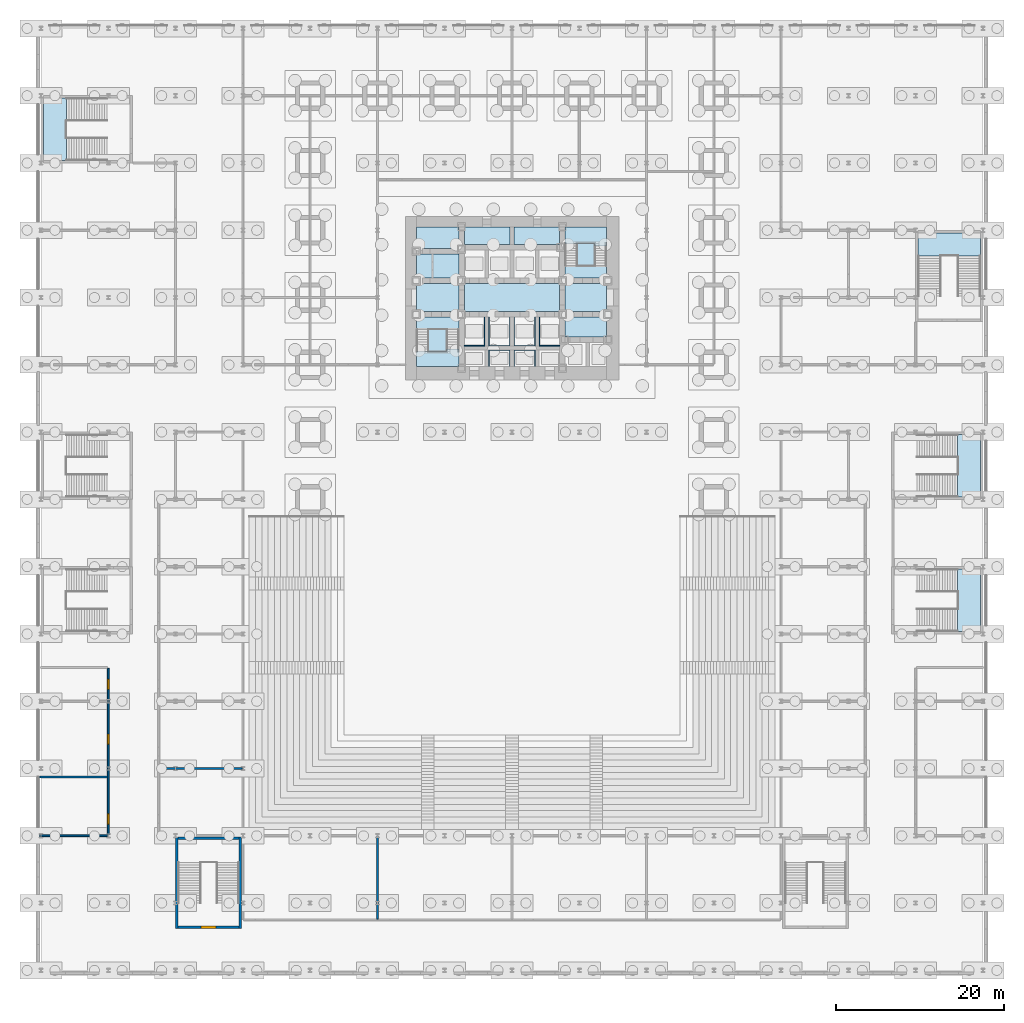
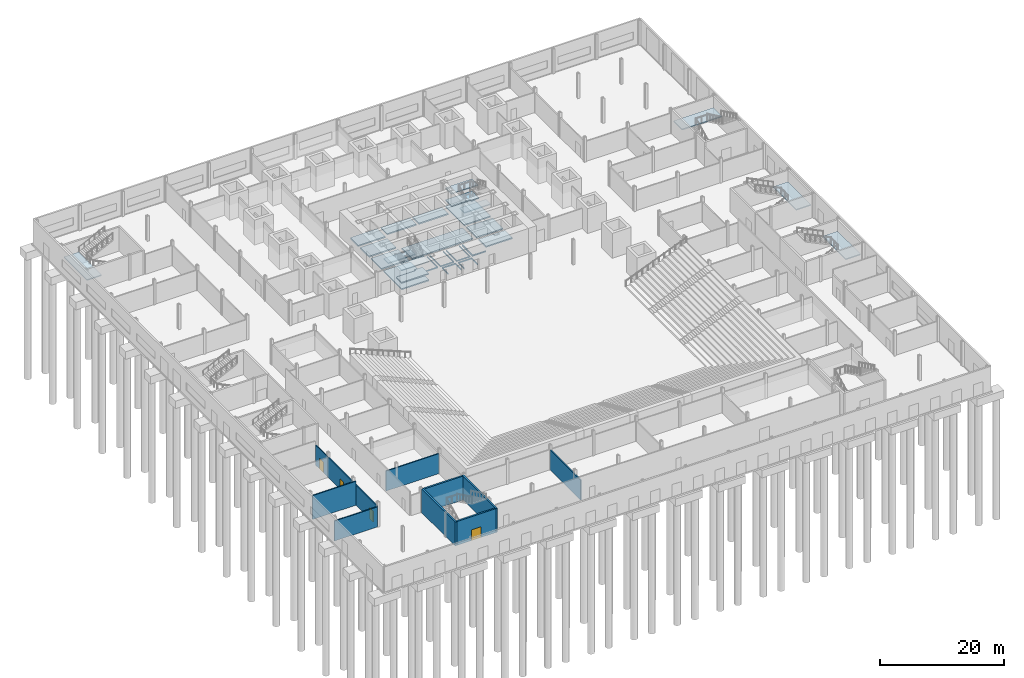
# One storey, part 10 of 24: 26 slabs, 9 walls, 4 doors, 4 openings, 6 elements without a shape of their own.
"""IFC4 building model written with IfcOpenShell, lengths in metres."""

from ifc_helpers import new_model, si_unit, direction, frame, frame_2d, origin, place, context, subcontext, project, spatial, polyline, rectangle, outline, extrude, material, layer, layer_set, type_object, element, fill, aggregate, save


model = new_model("IFC4")

# Units and contexts
model_context = context("Model", 3, precision=1e-05, world=origin(), true_north=direction((0.0, 1.0)))
body_context = subcontext(model_context, "Body", "Model", "MODEL_VIEW")
ifc_project = project(units=[si_unit("LENGTHUNIT", "METRE"), si_unit("AREAUNIT", "SQUARE_METRE"), si_unit("VOLUMEUNIT", "CUBIC_METRE"), si_unit("PLANEANGLEUNIT", "RADIAN"), si_unit("MASSUNIT", "GRAM", prefix="KILO")], contexts=[model_context])

# Site, building, storey
site_placement = place(None, origin())
site = spatial("IfcSite", under=ifc_project, at=site_placement, CompositionType="ELEMENT")
building_placement = place(site_placement, origin())
building = spatial("IfcBuilding", under=site, at=building_placement, Name="Daluyong Arena Tower", CompositionType="ELEMENT")
storey_placement = place(building_placement, origin())
storey = spatial("IfcBuildingStorey", under=building, at=storey_placement, Name="L00", CompositionType="ELEMENT", Elevation=0.0)

# Slabs
ifc_material_1 = material(Name="Concrete fc' 35 MPa", Category="concrete")
ifc_layer_1 = layer(ifc_material_1, 0.25)
ifc_layer_set_1 = layer_set([ifc_layer_1], Name="Concrete fc' 35 MPa")
slab_type_1 = type_object("IfcSlabType", Name="Ground slab 250", PredefinedType="BASESLAB", material=ifc_layer_set_1)
slab_1_placement = place(storey_placement, frame((0.0, 0.0, -0.25)))
element("IfcSlab", 1, at=slab_1_placement, inside=storey, type_object=slab_type_1, Name="ground slab part 1", PredefinedType="BASESLAB", context=body_context, shape_type="SweptSolid", body=[
    extrude(outline(polyline([(44.639892578125, 77.675048828125), (44.639892578125, 71.800048828125), (49.675048828125, 71.800048828125), (49.675048828125, 77.675048828125), (44.639892578125, 77.675048828125)])), origin(), (0.0, 0.0, 1.0), 0.25),
])
slab_2_placement = place(storey_placement, frame((0.0, 0.0, -0.25)))
element("IfcSlab", 2, at=slab_2_placement, inside=storey, type_object=slab_type_1, Name="ground slab part 2", PredefinedType="BASESLAB", context=body_context, shape_type="SweptSolid", body=[
    extrude(outline(polyline([(44.639892578125, 78.324951171875), (49.675048828125, 78.324951171875), (49.675048828125, 81.675048828125), (44.639892578125, 81.675048828125), (44.639892578125, 78.324951171875)])), origin(), (0.0, 0.0, 1.0), 0.25),
])
slab_3_placement = place(storey_placement, frame((0.0, 0.0, -0.25)))
element("IfcSlab", 3, at=slab_3_placement, inside=storey, type_object=slab_type_1, Name="ground slab part 3", PredefinedType="BASESLAB", context=body_context, shape_type="SweptSolid", body=[
    extrude(outline(polyline([(44.639892578125, 82.324951171875), (49.675048828125, 82.324951171875), (49.675048828125, 85.175048828125), (44.639892578125, 85.175048828125), (44.639892578125, 82.324951171875)])), origin(), (0.0, 0.0, 1.0), 0.25),
])
slab_4_placement = place(storey_placement, frame((0.0, 0.0, -0.25)))
element("IfcSlab", 4, at=slab_4_placement, inside=storey, type_object=slab_type_1, Name="ground slab part 4", PredefinedType="BASESLAB", context=body_context, shape_type="SweptSolid", body=[
    extrude(outline(polyline([(44.639892578125, 88.360107421875), (44.639892578125, 85.824951171875), (49.675048828125, 85.824951171875), (49.675048828125, 88.360107421875), (44.639892578125, 88.360107421875)])), origin(), (0.0, 0.0, 1.0), 0.25),
])
slab_5_placement = place(storey_placement, frame((0.0, 0.0, -0.25)))
element("IfcSlab", 5, at=slab_5_placement, inside=storey, type_object=slab_type_1, Name="ground slab part 5", PredefinedType="BASESLAB", context=body_context, shape_type="SweptSolid", body=[
    extrude(outline(polyline([(52.675048828125, 74.324951171875), (50.324951171875, 74.324951171875), (50.324951171875, 74.22509765625), (52.77490234375, 74.22509765625), (52.77490234375, 77.675048828125), (52.675048828125, 77.675048828125), (52.675048828125, 74.324951171875)])), origin(), (0.0, 0.0, 1.0), 0.25),
])
slab_6_placement = place(storey_placement, frame((0.0, 0.0, -0.25)))
element("IfcSlab", 6, at=slab_6_placement, inside=storey, type_object=slab_type_1, Name="ground slab part 6", PredefinedType="BASESLAB", context=body_context, shape_type="SweptSolid", body=[
    extrude(outline(polyline([(50.324951171875, 88.360107421875), (50.324951171875, 86.324951171875), (55.77490234375, 86.324951171875), (55.77490234375, 88.360107421875), (50.324951171875, 88.360107421875)])), origin(), (0.0, 0.0, 1.0), 0.25),
])
slab_7_placement = place(storey_placement, frame((0.0, 0.0, -0.25)))
element("IfcSlab", 7, at=slab_7_placement, inside=storey, type_object=slab_type_1, Name="ground slab part 7", PredefinedType="BASESLAB", context=body_context, shape_type="SweptSolid", body=[
    extrude(outline(polyline([(55.675048828125, 73.675048828125), (55.675048828125, 71.800048828125), (55.77490234375, 71.800048828125), (55.77490234375, 73.77490234375), (53.22509765625, 73.77490234375), (53.22509765625, 71.800048828125), (53.324951171875, 71.800048828125), (53.324951171875, 73.675048828125), (55.675048828125, 73.675048828125)])), origin(), (0.0, 0.0, 1.0), 0.25),
])
slab_8_placement = place(storey_placement, frame((0.0, 0.0, -0.25)))
element("IfcSlab", 8, at=slab_8_placement, inside=storey, type_object=slab_type_1, Name="ground slab part 8", PredefinedType="BASESLAB", context=body_context, shape_type="SweptSolid", body=[
    extrude(outline(polyline([(53.22509765625, 77.675048828125), (53.22509765625, 74.22509765625), (55.77490234375, 74.22509765625), (55.77490234375, 77.675048828125), (55.675048828125, 77.675048828125), (55.675048828125, 74.324951171875), (53.324951171875, 74.324951171875), (53.324951171875, 77.675048828125), (53.22509765625, 77.675048828125)])), origin(), (0.0, 0.0, 1.0), 0.25),
])
slab_9_placement = place(storey_placement, frame((0.0, 0.0, -0.25)))
element("IfcSlab", 9, at=slab_9_placement, inside=storey, type_object=slab_type_1, Name="ground slab part 10", PredefinedType="BASESLAB", context=body_context, shape_type="SweptSolid", body=[
    extrude(outline(polyline([(61.675048828125, 81.675048828125), (50.324951171875, 81.675048828125), (50.324951171875, 78.324951171875), (61.675048828125, 78.324951171875), (61.675048828125, 81.675048828125)])), origin(), (0.0, 0.0, 1.0), 0.25),
])
slab_10_placement = place(storey_placement, frame((0.0, 0.0, -0.25)))
element("IfcSlab", 10, at=slab_10_placement, inside=storey, type_object=slab_type_1, Name="ground slab part 11", PredefinedType="BASESLAB", context=body_context, shape_type="SweptSolid", body=[
    extrude(outline(polyline([(56.22509765625, 71.800048828125), (56.324951171875, 71.800048828125), (56.324951171875, 73.675048828125), (58.675048828125, 73.675048828125), (58.675048828125, 71.800048828125), (58.77490234375, 71.800048828125), (58.77490234375, 73.77490234375), (56.22509765625, 73.77490234375), (56.22509765625, 71.800048828125)])), origin(), (0.0, 0.0, 1.0), 0.25),
])
slab_11_placement = place(storey_placement, frame((0.0, 0.0, -0.25)))
element("IfcSlab", 11, at=slab_11_placement, inside=storey, type_object=slab_type_1, Name="ground slab part 12", PredefinedType="BASESLAB", context=body_context, shape_type="SweptSolid", body=[
    extrude(outline(polyline([(56.22509765625, 77.675048828125), (56.22509765625, 74.22509765625), (58.77490234375, 74.22509765625), (58.77490234375, 77.675048828125), (58.675048828125, 77.675048828125), (58.675048828125, 74.324951171875), (56.324951171875, 74.324951171875), (56.324951171875, 77.675048828125), (56.22509765625, 77.675048828125)])), origin(), (0.0, 0.0, 1.0), 0.25),
])
slab_12_placement = place(storey_placement, frame((0.0, 0.0, -0.25)))
element("IfcSlab", 12, at=slab_12_placement, inside=storey, type_object=slab_type_1, Name="ground slab part 13", PredefinedType="BASESLAB", context=body_context, shape_type="SweptSolid", body=[
    extrude(outline(polyline([(56.22509765625, 88.360107421875), (56.22509765625, 86.324951171875), (61.675048828125, 86.324951171875), (61.675048828125, 88.360107421875), (56.22509765625, 88.360107421875)])), origin(), (0.0, 0.0, 1.0), 0.25),
])
slab_13_placement = place(storey_placement, frame((0.0, 0.0, -0.25)))
element("IfcSlab", 13, at=slab_13_placement, inside=storey, type_object=slab_type_1, Name="ground slab part 14", PredefinedType="BASESLAB", context=body_context, shape_type="SweptSolid", body=[
    extrude(outline(polyline([(59.22509765625, 74.22509765625), (61.675048828125, 74.22509765625), (61.675048828125, 74.324951171875), (59.324951171875, 74.324951171875), (59.324951171875, 77.675048828125), (59.22509765625, 77.675048828125), (59.22509765625, 74.22509765625)])), origin(), (0.0, 0.0, 1.0), 0.25),
])
slab_14_placement = place(storey_placement, frame((0.0, 0.0, -0.25)))
element("IfcSlab", 14, at=slab_14_placement, inside=storey, type_object=slab_type_1, Name="ground slab part 15", PredefinedType="BASESLAB", context=body_context, shape_type="SweptSolid", body=[
    extrude(outline(polyline([(67.25, 75.324951171875), (67.25, 77.675048828125), (62.324951171875, 77.675048828125), (62.324951171875, 75.324951171875), (67.25, 75.324951171875)])), origin(), (0.0, 0.0, 1.0), 0.25),
])
slab_15_placement = place(storey_placement, frame((0.0, 0.0, -0.25)))
element("IfcSlab", 15, at=slab_15_placement, inside=storey, type_object=slab_type_1, Name="ground slab part 16", PredefinedType="BASESLAB", context=body_context, shape_type="SweptSolid", body=[
    extrude(outline(polyline([(67.25, 81.675048828125), (62.324951171875, 81.675048828125), (62.324951171875, 78.324951171875), (67.25, 78.324951171875), (67.25, 81.675048828125)])), origin(), (0.0, 0.0, 1.0), 0.25),
])
slab_16_placement = place(storey_placement, frame((0.0, 0.0, -0.25)))
element("IfcSlab", 16, at=slab_16_placement, inside=storey, type_object=slab_type_1, Name="ground slab part 17", PredefinedType="BASESLAB", context=body_context, shape_type="SweptSolid", body=[
    extrude(outline(polyline([(62.324951171875, 88.360107421875), (62.324951171875, 82.324951171875), (67.25, 82.324951171875), (67.25, 88.360107421875), (62.324951171875, 88.360107421875)])), origin(), (0.0, 0.0, 1.0), 0.25),
])

# Stair, slabs
ifc_material_2 = material(Name="Concrete fc' 35 MPa", Category="concrete")
stair_type_1 = type_object("IfcStairType", Name="Core exit stair", PredefinedType="HALF_TURN_STAIR", material=ifc_material_2)
stair_1_placement = place(storey_placement, origin())
stair_1 = element("IfcStair", 17, at=stair_1_placement, inside=storey, type_object=stair_type_1, Name="exit stair A L00", PredefinedType="HALF_TURN_STAIR")
ifc_material_3 = material(Name="Concrete fc' 35 MPa", Category="concrete")
ifc_layer_2 = layer(ifc_material_3, 0.199951171875)
ifc_layer_set_2 = layer_set([ifc_layer_2], Name="Concrete fc' 35 MPa")
slab_type_2 = type_object("IfcSlabType", Name="Stair landing 200", PredefinedType="LANDING", material=ifc_layer_set_2)
slab_17_placement = place(storey_placement, frame((0.0, 0.0, 1.056396484375)))
slab_17 = element("IfcSlab", 18, at=slab_17_placement, type_object=slab_type_2, Name="STA landing 1", PredefinedType="LANDING", context=body_context, shape_type="SweptSolid", body=[
    extrude(outline(polyline([(44.639892578125, 71.800048828125), (49.675048828125, 71.800048828125), (49.675048828125, 73.85498046875), (48.22509765625, 73.85498046875), (48.22509765625, 73.56494140625), (44.639892578125, 73.56494140625), (44.639892578125, 71.800048828125)])), origin(), (0.0, 0.0, 1.0), 0.199951171875),
])
slab_18_placement = place(storey_placement, frame((0.0, 0.0, 2.187255859375)))
slab_18 = element("IfcSlab", 19, at=slab_18_placement, type_object=slab_type_2, Name="STA landing 2", PredefinedType="LANDING", context=body_context, shape_type="SweptSolid", body=[
    extrude(outline(polyline([(44.639892578125, 76.175048828125), (49.675048828125, 76.175048828125), (49.675048828125, 77.675048828125), (44.639892578125, 77.675048828125), (44.639892578125, 76.175048828125)])), origin(), (0.0, 0.0, 1.0), 0.199951171875),
])
slab_19_placement = place(storey_placement, frame((0.0, 0.0, 3.443603515625)))
slab_19 = element("IfcSlab", 20, at=slab_19_placement, type_object=slab_type_2, Name="STA landing 3", PredefinedType="LANDING", context=body_context, shape_type="SweptSolid", body=[
    extrude(outline(polyline([(44.639892578125, 71.800048828125), (49.675048828125, 71.800048828125), (49.675048828125, 73.56494140625), (44.639892578125, 73.56494140625), (44.639892578125, 71.800048828125)])), origin(), (0.0, 0.0, 1.0), 0.199951171875),
])
aggregate(stair_1, [slab_17, slab_18, slab_19])

stair_2_placement = place(storey_placement, origin())
stair_2 = element("IfcStair", 21, at=stair_2_placement, inside=storey, type_object=stair_type_1, Name="exit stair B L00", PredefinedType="HALF_TURN_STAIR")
slab_20_placement = place(storey_placement, frame((0.0, 0.0, 1.056396484375)))
slab_20 = element("IfcSlab", 22, at=slab_20_placement, type_object=slab_type_2, Name="STB landing 1", PredefinedType="LANDING", context=body_context, shape_type="SweptSolid", body=[
    extrude(outline(polyline([(62.324951171875, 86.43505859375), (65.800048828125, 86.43505859375), (65.800048828125, 86.14501953125), (67.25, 86.14501953125), (67.25, 88.360107421875), (62.324951171875, 88.360107421875), (62.324951171875, 86.43505859375)])), origin(), (0.0, 0.0, 1.0), 0.199951171875),
])
slab_21_placement = place(storey_placement, frame((0.0, 0.0, 2.187255859375)))
slab_21 = element("IfcSlab", 23, at=slab_21_placement, type_object=slab_type_2, Name="STB landing 2", PredefinedType="LANDING", context=body_context, shape_type="SweptSolid", body=[
    extrude(outline(polyline([(62.324951171875, 82.324951171875), (67.25, 82.324951171875), (67.25, 83.824951171875), (62.324951171875, 83.824951171875), (62.324951171875, 82.324951171875)])), origin(), (0.0, 0.0, 1.0), 0.199951171875),
])
slab_22_placement = place(storey_placement, frame((0.0, 0.0, 3.443603515625)))
slab_22 = element("IfcSlab", 24, at=slab_22_placement, type_object=slab_type_2, Name="STB landing 3", PredefinedType="LANDING", context=body_context, shape_type="SweptSolid", body=[
    extrude(outline(polyline([(62.324951171875, 86.43505859375), (67.25, 86.43505859375), (67.25, 88.360107421875), (62.324951171875, 88.360107421875), (62.324951171875, 86.43505859375)])), origin(), (0.0, 0.0, 1.0), 0.199951171875),
])
aggregate(stair_2, [slab_20, slab_21, slab_22])

# Stair, slab
ifc_material_4 = material(Name="Concrete fc' 35 MPa", Category="concrete")
stair_type_2 = type_object("IfcStairType", Name="Podium exit stair", PredefinedType="HALF_TURN_STAIR", material=ifc_material_4)
stair_3_placement = place(storey_placement, origin())
stair_3 = element("IfcStair", 25, at=stair_3_placement, inside=storey, type_object=stair_type_2, Name="exit stair PS4 L00", PredefinedType="HALF_TURN_STAIR")
slab_23_placement = place(storey_placement, frame((0.0, 0.0, 2.25)))
slab_23 = element("IfcSlab", 26, at=slab_23_placement, type_object=slab_type_2, Name="PS4 landing 1", PredefinedType="LANDING", context=body_context, shape_type="SweptSolid", body=[
    extrude(outline(polyline([(111.699951171875, 40.300048828125), (111.699951171875, 47.699951171875), (108.9599609375, 47.699951171875), (108.9599609375, 40.300048828125), (111.699951171875, 40.300048828125)])), origin(), (0.0, 0.0, 1.0), 0.199951171875),
])
aggregate(stair_3, [slab_23])

stair_4_placement = place(storey_placement, origin())
stair_4 = element("IfcStair", 27, at=stair_4_placement, inside=storey, type_object=stair_type_2, Name="exit stair PS5 L00", PredefinedType="HALF_TURN_STAIR")
slab_24_placement = place(storey_placement, frame((0.0, 0.0, 2.25)))
slab_24 = element("IfcSlab", 28, at=slab_24_placement, type_object=slab_type_2, Name="PS5 landing 1", PredefinedType="LANDING", context=body_context, shape_type="SweptSolid", body=[
    extrude(outline(polyline([(3.0400390625, 96.300048828125), (3.0400390625, 103.699951171875), (0.300048828125, 103.699951171875), (0.300048828125, 96.300048828125), (3.0400390625, 96.300048828125)])), origin(), (0.0, 0.0, 1.0), 0.199951171875),
])
aggregate(stair_4, [slab_24])

stair_5_placement = place(storey_placement, origin())
stair_5 = element("IfcStair", 29, at=stair_5_placement, inside=storey, type_object=stair_type_2, Name="exit stair PS6 L00", PredefinedType="HALF_TURN_STAIR")
slab_25_placement = place(storey_placement, frame((0.0, 0.0, 2.25)))
slab_25 = element("IfcSlab", 30, at=slab_25_placement, type_object=slab_type_2, Name="PS6 landing 1", PredefinedType="LANDING", context=body_context, shape_type="SweptSolid", body=[
    extrude(outline(polyline([(104.300048828125, 84.9599609375), (111.699951171875, 84.9599609375), (111.699951171875, 87.699951171875), (104.300048828125, 87.699951171875), (104.300048828125, 84.9599609375)])), origin(), (0.0, 0.0, 1.0), 0.199951171875),
])
aggregate(stair_5, [slab_25])

stair_6_placement = place(storey_placement, origin())
stair_6 = element("IfcStair", 31, at=stair_6_placement, inside=storey, type_object=stair_type_2, Name="exit stair PS8 L00", PredefinedType="HALF_TURN_STAIR")
slab_26_placement = place(storey_placement, frame((0.0, 0.0, 2.25)))
slab_26 = element("IfcSlab", 32, at=slab_26_placement, type_object=slab_type_2, Name="PS8 landing 1", PredefinedType="LANDING", context=body_context, shape_type="SweptSolid", body=[
    extrude(outline(polyline([(111.699951171875, 56.300048828125), (111.699951171875, 63.699951171875), (108.9599609375, 63.699951171875), (108.9599609375, 56.300048828125), (111.699951171875, 56.300048828125)])), origin(), (0.0, 0.0, 1.0), 0.199951171875),
])
aggregate(stair_6, [slab_26])

# Walls
ifc_material_5 = material(Name="Concrete block partition", Category="concrete")
ifc_layer_3 = layer(ifc_material_5, 0.199951171875)
ifc_layer_set_3 = layer_set([ifc_layer_3], Name="Concrete block partition")
wall_type_1 = type_object("IfcWallType", Name="Partition 200", PredefinedType="PARTITIONING", material=ifc_layer_set_3)
wall_1_placement = place(storey_placement, frame((-0.14990234375, 16.0, 0.0), z_axis=(0.0, 0.0, 1.0), x_axis=(1.0, 0.0, 0.0)))
element("IfcWall", 33, at=wall_1_placement, inside=storey, type_object=wall_type_1, Name="partition at L00", PredefinedType="PARTITIONING", context=body_context, shape_type="SweptSolid", body=[
    extrude(rectangle(XDim=8.0498046875, YDim=0.199951171875, at=frame_2d((4.02490234375, 0.0))), origin(), (0.0, 0.0, 1.0), 3.927734375),
])
wall_2_placement = place(storey_placement, frame((-0.14990234375, 23.0, 0.0), z_axis=(0.0, 0.0, 1.0), x_axis=(1.0, 0.0, 0.0)))
element("IfcWall", 34, at=wall_2_placement, inside=storey, type_object=wall_type_1, Name="partition at L00", PredefinedType="PARTITIONING", context=body_context, shape_type="SweptSolid", body=[
    extrude(rectangle(XDim=8.0498046875, YDim=0.199951171875, at=frame_2d((4.02490234375, 0.0))), origin(), (0.0, 0.0, 1.0), 4.699951171875),
])
wall_3_placement = place(storey_placement, frame((14.10009765625, 24.0, 0.0), z_axis=(0.0, 0.0, 1.0), x_axis=(1.0, 0.0, 0.0)))
element("IfcWall", 35, at=wall_3_placement, inside=storey, type_object=wall_type_1, Name="partition at L00", PredefinedType="PARTITIONING", context=body_context, shape_type="SweptSolid", body=[
    extrude(rectangle(XDim=9.7998046875, YDim=0.199951171875, at=frame_2d((4.89990234375, 0.0))), origin(), (0.0, 0.0, 1.0), 3.927734375),
])

# Wall, openings, doors
wall_4_placement = place(storey_placement, frame((8.0, 16.10009765625, 0.0), z_axis=(0.0, 0.0, 1.0), x_axis=(0.0, 1.0, 0.0)))
wall_4 = element("IfcWall", 36, at=wall_4_placement, inside=storey, type_object=wall_type_1, Name="partition at L00", PredefinedType="PARTITIONING", context=body_context, shape_type="SweptSolid", body=[
    extrude(rectangle(XDim=19.7998046875, YDim=0.199951171875, at=frame_2d((9.89990234375, 0.0))), origin(), (0.0, 0.0, 1.0), 3.927734375),
])
opening_1_placement = place(wall_4_placement, frame((1.300048828125, 0.0, 0.0)))
opening_1 = element("IfcOpeningElement", 37, at=opening_1_placement, cuts=wall_4, Name="Opening 00035", PredefinedType="OPENING", context=body_context, shape_type="SweptSolid", body=[
    extrude(rectangle(XDim=1.199951171875, YDim=2.10009765625, at=frame_2d((0.60009765625, 1.050048828125))), frame((0.0, 0.10986328125, 0.0), z_axis=(0.0, -1.0, 0.0), x_axis=(1.0, 0.0, 0.0)), (0.0, 0.0, 1.0), 0.219970703125),
])
opening_2_placement = place(wall_4_placement, frame((10.800048828125, 0.0, 0.0)))
opening_2 = element("IfcOpeningElement", 38, at=opening_2_placement, cuts=wall_4, Name="Opening 00036", PredefinedType="OPENING", context=body_context, shape_type="SweptSolid", body=[
    extrude(rectangle(XDim=1.199951171875, YDim=2.10009765625, at=frame_2d((0.60009765625, 1.050048828125))), frame((0.0, 0.10986328125, 0.0), z_axis=(0.0, -1.0, 0.0), x_axis=(1.0, 0.0, 0.0)), (0.0, 0.0, 1.0), 0.219970703125),
])
opening_3_placement = place(wall_4_placement, frame((17.300048828125, 0.0, 0.0)))
opening_3 = element("IfcOpeningElement", 39, at=opening_3_placement, cuts=wall_4, Name="Opening 00037", PredefinedType="OPENING", context=body_context, shape_type="SweptSolid", body=[
    extrude(rectangle(XDim=1.199951171875, YDim=2.10009765625, at=frame_2d((0.60009765625, 1.050048828125))), frame((0.0, 0.10986328125, 0.0), z_axis=(0.0, -1.0, 0.0), x_axis=(1.0, 0.0, 0.0)), (0.0, 0.0, 1.0), 0.219970703125),
])
ifc_material_6 = material(Name="Timber door", Category="wood")
door_type_1 = type_object("IfcDoorType", Name="Toilet entry door 1200", OperationType="SINGLE_SWING_RIGHT", PredefinedType="DOOR", material=ifc_material_6)
door_1_placement = place(opening_1_placement, origin())
door_1 = element("IfcDoor", 40, at=door_1_placement, inside=storey, type_object=door_type_1, Name="male toilet door 00035", OperationType="SINGLE_SWING_RIGHT", OverallHeight=2.10009765625, OverallWidth=1.199951171875, PredefinedType="DOOR", context=body_context, shape_type="SweptSolid", body=[
    extrude(rectangle(XDim=1.199951171875, YDim=2.10009765625, at=frame_2d((0.60009765625, 1.050048828125))), frame((0.0, 0.099609375, 0.0), z_axis=(0.0, -1.0, 0.0), x_axis=(1.0, 0.0, 0.0)), (0.0, 0.0, 1.0), 0.199462890625),
])
fill(opening_1, door_1)
door_2_placement = place(opening_2_placement, origin())
door_2 = element("IfcDoor", 41, at=door_2_placement, inside=storey, type_object=door_type_1, Name="female toilet door 00036", OperationType="SINGLE_SWING_RIGHT", OverallHeight=2.10009765625, OverallWidth=1.199951171875, PredefinedType="DOOR", context=body_context, shape_type="SweptSolid", body=[
    extrude(rectangle(XDim=1.199951171875, YDim=2.10009765625, at=frame_2d((0.60009765625, 1.050048828125))), frame((0.0, 0.099609375, 0.0), z_axis=(0.0, -1.0, 0.0), x_axis=(1.0, 0.0, 0.0)), (0.0, 0.0, 1.0), 0.199462890625),
])
fill(opening_2, door_2)
door_3_placement = place(opening_3_placement, origin())
door_3 = element("IfcDoor", 42, at=door_3_placement, inside=storey, type_object=door_type_1, Name="accessible toilet door 00037", OperationType="SINGLE_SWING_RIGHT", OverallHeight=2.10009765625, OverallWidth=1.199951171875, PredefinedType="DOOR", context=body_context, shape_type="SweptSolid", body=[
    extrude(rectangle(XDim=1.199951171875, YDim=2.10009765625, at=frame_2d((0.60009765625, 1.050048828125))), frame((0.0, 0.099609375, 0.0), z_axis=(0.0, -1.0, 0.0), x_axis=(1.0, 0.0, 0.0)), (0.0, 0.0, 1.0), 0.199462890625),
])
fill(opening_3, door_3)

# Walls
wall_5_placement = place(storey_placement, frame((40.0, 6.10009765625, 0.0), z_axis=(0.0, 0.0, 1.0), x_axis=(0.0, 1.0, 0.0)))
element("IfcWall", 43, at=wall_5_placement, inside=storey, type_object=wall_type_1, Name="partition at L00", PredefinedType="PARTITIONING", context=body_context, shape_type="SweptSolid", body=[
    extrude(rectangle(XDim=9.7998046875, YDim=0.199951171875, at=frame_2d((4.89990234375, 0.0))), origin(), (0.0, 0.0, 1.0), 3.927734375),
])
ifc_material_7 = material(Name="Concrete fc' 35 MPa", Category="concrete")
ifc_layer_4 = layer(ifc_material_7, 0.300048828125)
ifc_layer_set_4 = layer_set([ifc_layer_4], Name="Concrete fc' 35 MPa")
wall_type_2 = type_object("IfcWallType", Name="Stair enclosure wall 300", PredefinedType="SOLIDWALL", material=ifc_layer_set_4)
wall_6_placement = place(storey_placement, frame((16.14990234375, 5.0, 0.0), z_axis=(0.0, 0.0, 1.0), x_axis=(0.0, 1.0, 0.0)))
element("IfcWall", 44, at=wall_6_placement, inside=storey, type_object=wall_type_2, Name="exit stair PS1 enclosure", PredefinedType="SOLIDWALL", context=body_context, shape_type="SweptSolid", body=[
    extrude(rectangle(XDim=10.772705078125, YDim=0.300048828125, at=frame_2d((5.38623046875, 0.0))), origin(), (0.0, 0.0, 1.0), 4.699951171875),
])
wall_7_placement = place(storey_placement, frame((23.699951171875, 5.0, 0.0), z_axis=(0.0, 0.0, 1.0), x_axis=(0.0, 1.0, 0.0)))
element("IfcWall", 45, at=wall_7_placement, inside=storey, type_object=wall_type_2, Name="exit stair PS1 enclosure", PredefinedType="SOLIDWALL", context=body_context, shape_type="SweptSolid", body=[
    extrude(rectangle(XDim=10.85009765625, YDim=0.300048828125, at=frame_2d((5.425048828125, 0.0))), origin(), (0.0, 0.0, 1.0), 4.699951171875),
])

# Wall, opening, door
wall_8_placement = place(storey_placement, frame((16.300048828125, 5.14990234375, 0.0), z_axis=(0.0, 0.0, 1.0), x_axis=(1.0, 0.0, 0.0)))
wall_8 = element("IfcWall", 46, at=wall_8_placement, inside=storey, type_object=wall_type_2, Name="exit stair PS1 enclosure", PredefinedType="SOLIDWALL", context=body_context, shape_type="SweptSolid", body=[
    extrude(rectangle(XDim=7.25, YDim=0.300048828125, at=frame_2d((3.625, 0.0))), origin(), (0.0, 0.0, 1.0), 4.699951171875),
])
opening_4_placement = place(wall_8_placement, frame((2.72509765625, 0.0, 0.0)))
opening_4 = element("IfcOpeningElement", 47, at=opening_4_placement, cuts=wall_8, Name="Opening 00027", PredefinedType="OPENING", context=body_context, shape_type="SweptSolid", body=[
    extrude(rectangle(XDim=1.800048828125, YDim=2.10009765625, at=frame_2d((0.89990234375, 1.050048828125))), frame((0.0, 0.159912109375, 0.0), z_axis=(0.0, -1.0, 0.0), x_axis=(1.0, 0.0, 0.0)), (0.0, 0.0, 1.0), 0.320068359375),
])
ifc_material_8 = material(Name="Steel door, fire rated", Category="steel")
door_type_2 = type_object("IfcDoorType", Name="Exit stair double door 1800", OperationType="DOUBLE_DOOR_SINGLE_SWING", PredefinedType="DOOR", material=ifc_material_8)
door_4_placement = place(opening_4_placement, origin())
door_4 = element("IfcDoor", 48, at=door_4_placement, inside=storey, type_object=door_type_2, Name="exit stair PS1 door 00027", OperationType="DOUBLE_DOOR_SINGLE_SWING", OverallHeight=2.10009765625, OverallWidth=1.800048828125, PredefinedType="DOOR", context=body_context, shape_type="SweptSolid", body=[
    extrude(rectangle(XDim=1.800048828125, YDim=2.10009765625, at=frame_2d((0.89990234375, 1.050048828125))), frame((0.0, 0.14990234375, 0.0), z_axis=(0.0, -1.0, 0.0), x_axis=(1.0, 0.0, 0.0)), (0.0, 0.0, 1.0), 0.299560546875),
])
fill(opening_4, door_4)

# Wall
wall_9_placement = place(storey_placement, frame((16.300048828125, 15.699951171875, 0.0), z_axis=(0.0, 0.0, 1.0), x_axis=(1.0, 0.0, 0.0)))
element("IfcWall", 49, at=wall_9_placement, inside=storey, type_object=wall_type_2, Name="exit stair PS1 enclosure", PredefinedType="SOLIDWALL", context=body_context, shape_type="SweptSolid", body=[
    extrude(rectangle(XDim=7.25, YDim=0.300048828125, at=frame_2d((3.625, 0.0))), origin(), (0.0, 0.0, 1.0), 4.699951171875),
])

save(model, "model.ifc")
